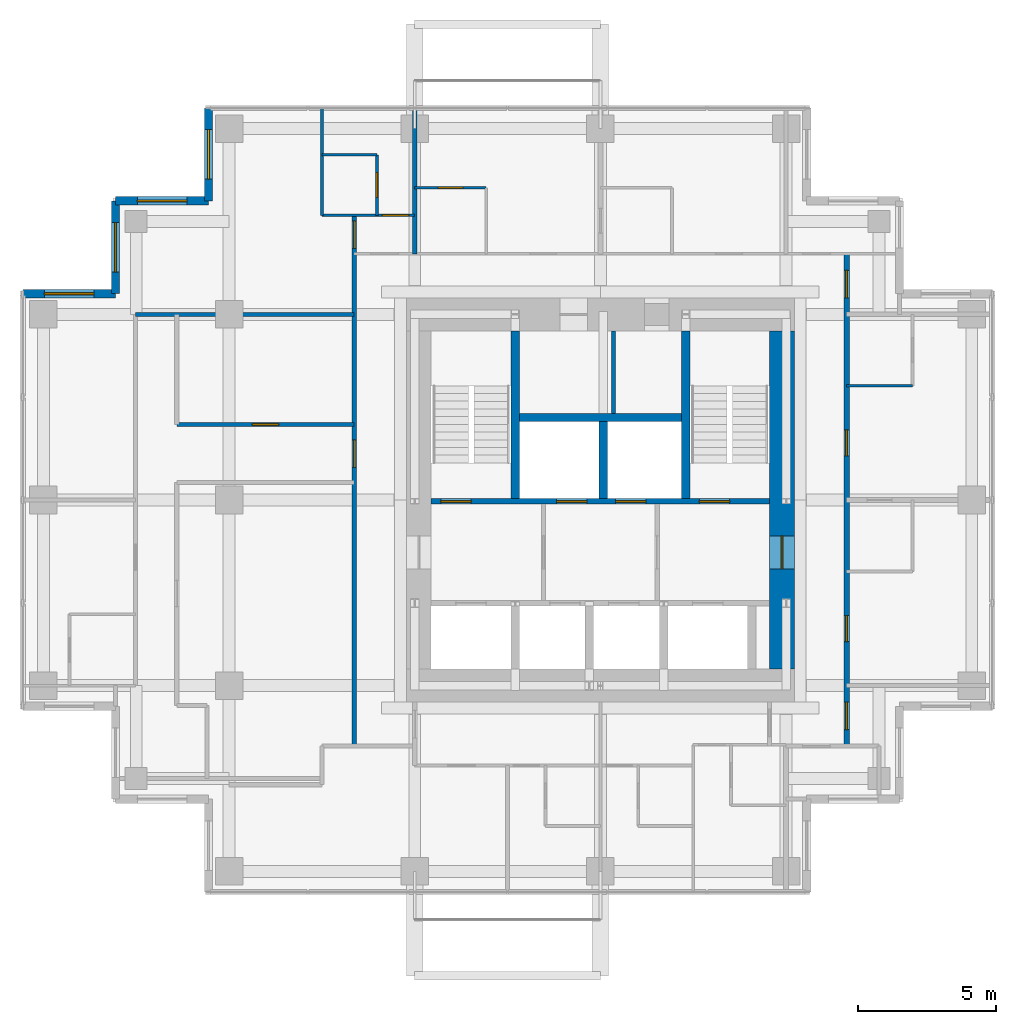
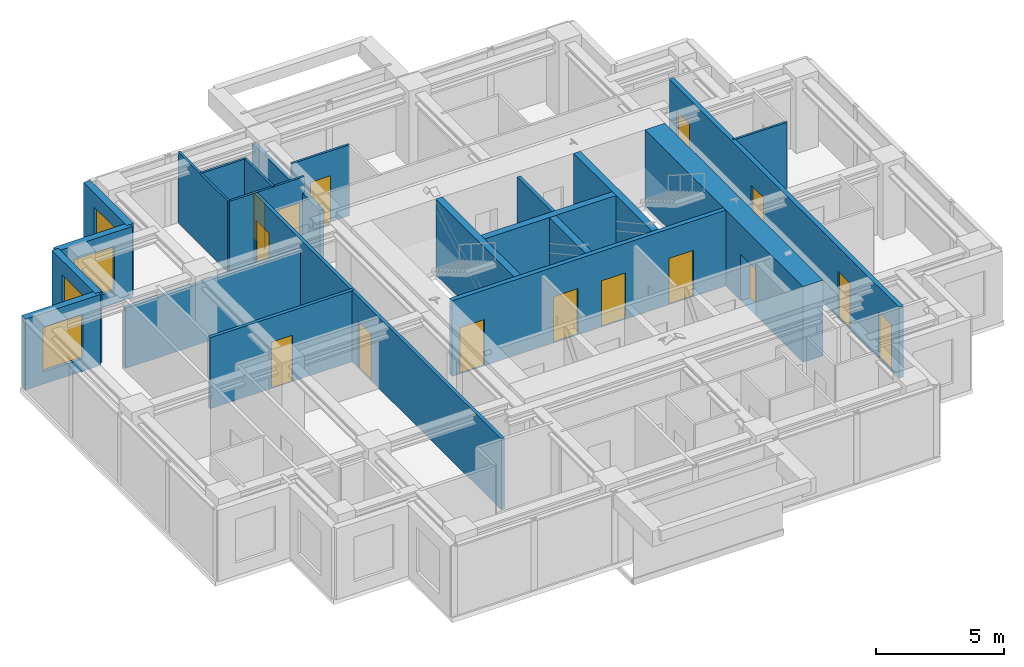
# One storey, part 5 of 7: 22 walls, 15 doors, 4 windows, 19 openings.
"""IFC4 building model written with IfcOpenShell, lengths in metres."""

from ifc_helpers import new_model, si_unit, direction, frame, frame_2d, origin, place, context, subcontext, project, spatial, rectangle, extrude, material, layer, layer_set, type_object, element, fill, save


model = new_model("IFC4")

# Units and contexts
model_context = context("Model", 3, precision=1e-05, world=origin(), true_north=direction((0.0, 1.0)))
body_context = subcontext(model_context, "Body", "Model", "MODEL_VIEW")
ifc_project = project(units=[si_unit("LENGTHUNIT", "METRE"), si_unit("AREAUNIT", "SQUARE_METRE"), si_unit("VOLUMEUNIT", "CUBIC_METRE"), si_unit("PLANEANGLEUNIT", "RADIAN"), si_unit("MASSUNIT", "GRAM", prefix="KILO")], contexts=[model_context])

# Site, building, storey
site_placement = place(None, origin())
site = spatial("IfcSite", under=ifc_project, at=site_placement, CompositionType="ELEMENT")
building_placement = place(site_placement, origin())
building = spatial("IfcBuilding", under=site, at=building_placement, Name="Nyansa Garden Tower", CompositionType="ELEMENT")
storey_placement = place(building_placement, frame((0.0, 0.0, 236.699951171875)))
storey = spatial("IfcBuildingStorey", under=building, at=storey_placement, Name="L64", CompositionType="ELEMENT", Elevation=236.699951171875)

# Wall
ifc_material_1 = material(Name="Dense blockwork, plastered both sides, 55 dB", Category="masonry")
ifc_layer_1 = layer(ifc_material_1, 0.175048828125)
ifc_layer_set_1 = layer_set([ifc_layer_1], Name="Acoustic party wall PW175")
wall_type_1 = type_object("IfcWallType", Name="Acoustic party wall PW175", PredefinedType="PARTITIONING", material=ifc_layer_set_1)
wall_1_placement = place(storey_placement, frame((13.5, 29.199951171875, 0.0), z_axis=(0.0, 0.0, 1.0), x_axis=(0.0, 1.0, 0.0)))
element("IfcWall", 1, at=wall_1_placement, inside=storey, type_object=wall_type_1, Name="Party wall", PredefinedType="PARTITIONING", context=body_context, shape_type="SweptSolid", body=[
    extrude(rectangle(XDim=5.283935546875, YDim=0.175048828125, at=frame_2d((2.64208984375, 0.0))), origin(), (0.0, 0.0, 1.0), 2.610107421875),
])

# Wall, openings, doors
ifc_material_2 = material(Name="Concrete C70/85", Category="concrete")
ifc_layer_2 = layer(ifc_material_2, 0.199951171875)
ifc_layer_set_2 = layer_set([ifc_layer_2], Name="Core inner wall CI200")
wall_type_2 = type_object("IfcWallType", Name="Core inner wall CI200", PredefinedType="SHEAR", material=ifc_layer_set_2)
wall_2_placement = place(storey_placement, frame((14.10009765625, 20.199951171875, 0.0), z_axis=(0.0, 0.0, 1.0), x_axis=(1.0, 0.0, 0.0)))
wall_2 = element("IfcWall", 2, at=wall_2_placement, inside=storey, type_object=wall_type_2, Name="Core inner wall L64", PredefinedType="SHEAR", context=body_context, shape_type="SweptSolid", body=[
    extrude(rectangle(XDim=12.2998046875, YDim=0.199951171875, at=frame_2d((6.14990234375, 0.0))), origin(), (0.0, 0.0, 1.0), 3.60009765625),
])
opening_1_placement = place(wall_2_placement, frame((4.56005859375, 0.0, 0.0)))
opening_1 = element("IfcOpeningElement", 3, at=opening_1_placement, cuts=wall_2, Name="Opening LD-B", PredefinedType="OPENING", context=body_context, shape_type="SweptSolid", body=[
    extrude(rectangle(XDim=1.10009765625, YDim=2.199951171875, at=frame_2d((0.550048828125, 1.10009765625))), frame((0.0, 0.10986328125, 0.0), z_axis=(0.0, -1.0, 0.0), x_axis=(1.0, 0.0, 0.0)), (0.0, 0.0, 1.0), 0.219970703125),
])
opening_2_placement = place(wall_2_placement, frame((6.699951171875, 0.0, 0.0)))
opening_2 = element("IfcOpeningElement", 4, at=opening_2_placement, cuts=wall_2, Name="Opening LD-B", PredefinedType="OPENING", context=body_context, shape_type="SweptSolid", body=[
    extrude(rectangle(XDim=1.10009765625, YDim=2.199951171875, at=frame_2d((0.550048828125, 1.10009765625))), frame((0.0, 0.10986328125, 0.0), z_axis=(0.0, -1.0, 0.0), x_axis=(1.0, 0.0, 0.0)), (0.0, 0.0, 1.0), 0.219970703125),
])
opening_3_placement = place(wall_2_placement, frame((0.35009765625, 0.0, 0.0)))
opening_3 = element("IfcOpeningElement", 5, at=opening_3_placement, cuts=wall_2, Name="Opening D05", PredefinedType="OPENING", context=body_context, shape_type="SweptSolid", body=[
    extrude(rectangle(XDim=1.10009765625, YDim=2.199951171875, at=frame_2d((0.550048828125, 1.10009765625))), frame((0.0, 0.10986328125, 0.0), z_axis=(0.0, -1.0, 0.0), x_axis=(1.0, 0.0, 0.0)), (0.0, 0.0, 1.0), 0.219970703125),
])
opening_4_placement = place(wall_2_placement, frame((9.75, 0.0, 0.0)))
opening_4 = element("IfcOpeningElement", 6, at=opening_4_placement, cuts=wall_2, Name="Opening D05", PredefinedType="OPENING", context=body_context, shape_type="SweptSolid", body=[
    extrude(rectangle(XDim=1.10009765625, YDim=2.199951171875, at=frame_2d((0.550048828125, 1.10009765625))), frame((0.0, 0.10986328125, 0.0), z_axis=(0.0, -1.0, 0.0), x_axis=(1.0, 0.0, 0.0)), (0.0, 0.0, 1.0), 0.219970703125),
])
ifc_material_3 = material(Name="Stainless steel centre-opening landing door of the high-rise lift, E 120", Category="steel")
door_type_1 = type_object("IfcDoorType", Name="Lift landing door LD-B 1100x2200", OperationType="DOUBLE_DOOR_SLIDING", PredefinedType="DOOR", material=ifc_material_3)
door_1_placement = place(opening_1_placement, origin())
door_1 = element("IfcDoor", 7, at=door_1_placement, inside=storey, type_object=door_type_1, Name="Landing door B3", OperationType="DOUBLE_DOOR_SLIDING", OverallHeight=2.199951171875, OverallWidth=1.10009765625, PredefinedType="DOOR", context=body_context, shape_type="SweptSolid", body=[
    extrude(rectangle(XDim=1.10009765625, YDim=2.199951171875, at=frame_2d((0.550048828125, 1.10009765625))), frame((0.0, 0.02490234375, 0.0), z_axis=(0.0, -1.0, 0.0), x_axis=(1.0, 0.0, 0.0)), (0.0, 0.0, 1.0), 0.050048828125),
])
fill(opening_1, door_1)
door_2_placement = place(opening_2_placement, origin())
door_2 = element("IfcDoor", 8, at=door_2_placement, inside=storey, type_object=door_type_1, Name="Landing door B4", OperationType="DOUBLE_DOOR_SLIDING", OverallHeight=2.199951171875, OverallWidth=1.10009765625, PredefinedType="DOOR", context=body_context, shape_type="SweptSolid", body=[
    extrude(rectangle(XDim=1.10009765625, YDim=2.199951171875, at=frame_2d((0.550048828125, 1.10009765625))), frame((0.0, 0.02490234375, 0.0), z_axis=(0.0, -1.0, 0.0), x_axis=(1.0, 0.0, 0.0)), (0.0, 0.0, 1.0), 0.050048828125),
])
fill(opening_2, door_2)
ifc_material_4 = material(Name="Steel door, 120 minute fire resisting", Category="steel")
door_type_2 = type_object("IfcDoorType", Name="Stair door D05 1100x2200", OperationType="SINGLE_SWING_LEFT", PredefinedType="DOOR", material=ifc_material_4)
door_3_placement = place(opening_3_placement, origin())
door_3 = element("IfcDoor", 9, at=door_3_placement, inside=storey, type_object=door_type_2, Name="Stair S1 door", OperationType="SINGLE_SWING_LEFT", OverallHeight=2.199951171875, OverallWidth=1.10009765625, PredefinedType="DOOR", context=body_context, shape_type="SweptSolid", body=[
    extrude(rectangle(XDim=1.10009765625, YDim=2.199951171875, at=frame_2d((0.550048828125, 1.10009765625))), frame((0.0, 0.02490234375, 0.0), z_axis=(0.0, -1.0, 0.0), x_axis=(1.0, 0.0, 0.0)), (0.0, 0.0, 1.0), 0.050048828125),
])
fill(opening_3, door_3)
door_4_placement = place(opening_4_placement, origin())
door_4 = element("IfcDoor", 10, at=door_4_placement, inside=storey, type_object=door_type_2, Name="Stair S2 door", OperationType="SINGLE_SWING_LEFT", OverallHeight=2.199951171875, OverallWidth=1.10009765625, PredefinedType="DOOR", context=body_context, shape_type="SweptSolid", body=[
    extrude(rectangle(XDim=1.10009765625, YDim=2.199951171875, at=frame_2d((0.550048828125, 1.10009765625))), frame((0.0, 0.02490234375, 0.0), z_axis=(0.0, -1.0, 0.0), x_axis=(1.0, 0.0, 0.0)), (0.0, 0.0, 1.0), 0.050048828125),
])
fill(opening_4, door_4)

# Walls
ifc_material_5 = material(Name="Concrete C70/85", Category="concrete")
ifc_layer_3 = layer(ifc_material_5, 0.300048828125)
ifc_layer_set_3 = layer_set([ifc_layer_3], Name="Core inner wall CI300")
wall_type_3 = type_object("IfcWallType", Name="Core inner wall CI300", PredefinedType="SHEAR", material=ifc_layer_set_3)
for number, where, z_axis, x_axis, name in (
    (11, (17.14990234375, 20.300048828125, 0.0), (0.0, 0.0, 1.0), (0.0, 1.0, 0.0), "Core inner wall L64"),
    (12, (23.35009765625, 20.300048828125, 0.0), (0.0, 0.0, 1.0), (0.0, 1.0, 0.0), "Core inner wall L64"),
):
    element("IfcWall", number, at=place(storey_placement, frame(where, z_axis=z_axis, x_axis=x_axis)), inside=storey, type_object=wall_type_3, Name=name, PredefinedType="SHEAR", context=body_context, shape_type="SweptSolid", body=[
        extrude(rectangle(XDim=6.099853515625, YDim=0.300048828125, at=frame_2d((3.0498046875, 0.0))), origin(), (0.0, 0.0, 1.0), 3.60009765625),
    ])
wall_3_placement = place(storey_placement, frame((20.35009765625, 20.300048828125, 0.0), z_axis=(0.0, 0.0, 1.0), x_axis=(0.0, 1.0, 0.0)))
element("IfcWall", 13, at=wall_3_placement, inside=storey, type_object=wall_type_3, Name="Core inner wall L64", PredefinedType="SHEAR", context=body_context, shape_type="SweptSolid", body=[
    extrude(rectangle(XDim=2.800048828125, YDim=0.300048828125, at=frame_2d((1.39990234375, 0.0))), origin(), (0.0, 0.0, 1.0), 3.60009765625),
])
wall_4_placement = place(storey_placement, frame((17.300048828125, 23.25, 0.0), z_axis=(0.0, 0.0, 1.0), x_axis=(1.0, 0.0, 0.0)))
element("IfcWall", 14, at=wall_4_placement, inside=storey, type_object=wall_type_3, Name="Core inner wall L64", PredefinedType="SHEAR", context=body_context, shape_type="SweptSolid", body=[
    extrude(rectangle(XDim=5.89990234375, YDim=0.300048828125, at=frame_2d((2.949951171875, 0.0))), origin(), (0.0, 0.0, 1.0), 3.60009765625),
])

# Wall, opening, door
ifc_material_6 = material(Name="Concrete C80/95", Category="concrete")
ifc_layer_4 = layer(ifc_material_6, 0.89990234375)
ifc_layer_set_4 = layer_set([ifc_layer_4], Name="Core wall CW900")
wall_type_4 = type_object("IfcWallType", Name="Core wall CW900", PredefinedType="SHEAR", material=ifc_layer_set_4)
wall_5_placement = place(storey_placement, frame((26.85009765625, 14.10009765625, 0.0), z_axis=(0.0, 0.0, 1.0), x_axis=(0.0, 1.0, 0.0)))
wall_5 = element("IfcWall", 15, at=wall_5_placement, inside=storey, type_object=wall_type_4, Name="Core wall E L64", PredefinedType="SHEAR", context=body_context, shape_type="SweptSolid", body=[
    extrude(rectangle(XDim=12.2998046875, YDim=0.89990234375, at=frame_2d((6.14990234375, 0.0))), origin(), (0.0, 0.0, 1.0), 3.60009765625),
])
opening_5_placement = place(wall_5_placement, frame((3.64990234375, 0.0, 0.0)))
opening_5 = element("IfcOpeningElement", 16, at=opening_5_placement, cuts=wall_5, Name="Opening D06", PredefinedType="OPENING", context=body_context, shape_type="SweptSolid", body=[
    extrude(rectangle(XDim=1.199951171875, YDim=2.199951171875, at=frame_2d((0.60009765625, 1.10009765625))), frame((0.0, 0.4599609375, 0.0), z_axis=(0.0, -1.0, 0.0), x_axis=(1.0, 0.0, 0.0)), (0.0, 0.0, 1.0), 0.919921875),
])
ifc_material_7 = material(Name="Steel door, 120 minute fire resisting", Category="steel")
door_type_3 = type_object("IfcDoorType", Name="Lobby door D06 1200x2200", OperationType="DOUBLE_DOOR_SINGLE_SWING", PredefinedType="DOOR", material=ifc_material_7)
door_5_placement = place(opening_5_placement, origin())
door_5 = element("IfcDoor", 17, at=door_5_placement, inside=storey, type_object=door_type_3, Name="Lift lobby door east", OperationType="DOUBLE_DOOR_SINGLE_SWING", OverallHeight=2.199951171875, OverallWidth=1.199951171875, PredefinedType="DOOR", context=body_context, shape_type="SweptSolid", body=[
    extrude(rectangle(XDim=1.199951171875, YDim=2.199951171875, at=frame_2d((0.60009765625, 1.10009765625))), frame((0.0, 0.02490234375, 0.0), z_axis=(0.0, -1.0, 0.0), x_axis=(1.0, 0.0, 0.0)), (0.0, 0.0, 1.0), 0.050048828125),
])
fill(opening_5, door_5)

# Wall, openings, doors
ifc_material_8 = material(Name="Concrete blockwork, plastered, 60 minute fire resisting", Category="masonry")
ifc_layer_5 = layer(ifc_material_8, 0.199951171875)
ifc_layer_set_5 = layer_set([ifc_layer_5], Name="Corridor wall FW200")
wall_type_5 = type_object("IfcWallType", Name="Corridor wall FW200", PredefinedType="PARTITIONING", material=ifc_layer_set_5)
wall_6_placement = place(storey_placement, frame((29.199951171875, 11.300048828125, 0.0), z_axis=(0.0, 0.0, 1.0), x_axis=(0.0, 1.0, 0.0)))
wall_6 = element("IfcWall", 18, at=wall_6_placement, inside=storey, type_object=wall_type_5, Name="Corridor wall", PredefinedType="PARTITIONING", context=body_context, shape_type="SweptSolid", body=[
    extrude(rectangle(XDim=17.89990234375, YDim=0.199951171875, at=frame_2d((8.949951171875, 0.0))), origin(), (0.0, 0.0, 1.0), 3.375),
])
opening_6_placement = place(wall_6_placement, frame((0.60009765625, 0.0, 0.0)))
opening_6 = element("IfcOpeningElement", 19, at=opening_6_placement, cuts=wall_6, Name="Opening D03", PredefinedType="OPENING", context=body_context, shape_type="SweptSolid", body=[
    extrude(rectangle(XDim=1.0, YDim=2.199951171875, at=frame_2d((0.5, 1.10009765625))), frame((0.0, 0.10986328125, 0.0), z_axis=(0.0, -1.0, 0.0), x_axis=(1.0, 0.0, 0.0)), (0.0, 0.0, 1.0), 0.219970703125),
])
opening_7_placement = place(wall_6_placement, frame((10.550048828125, 0.0, 0.0)))
opening_7 = element("IfcOpeningElement", 20, at=opening_7_placement, cuts=wall_6, Name="Opening D14", PredefinedType="OPENING", context=body_context, shape_type="SweptSolid", body=[
    extrude(rectangle(XDim=0.949951171875, YDim=2.199951171875, at=frame_2d((0.47509765625, 1.10009765625))), frame((0.0, 0.10986328125, 0.0), z_axis=(0.0, -1.0, 0.0), x_axis=(1.0, 0.0, 0.0)), (0.0, 0.0, 1.0), 0.219970703125),
])
opening_8_placement = place(wall_6_placement, frame((3.800048828125, 0.0, 0.0)))
opening_8 = element("IfcOpeningElement", 21, at=opening_8_placement, cuts=wall_6, Name="Opening D14", PredefinedType="OPENING", context=body_context, shape_type="SweptSolid", body=[
    extrude(rectangle(XDim=0.949951171875, YDim=2.199951171875, at=frame_2d((0.47509765625, 1.10009765625))), frame((0.0, 0.10986328125, 0.0), z_axis=(0.0, -1.0, 0.0), x_axis=(1.0, 0.0, 0.0)), (0.0, 0.0, 1.0), 0.219970703125),
])
opening_9_placement = place(wall_6_placement, frame((16.300048828125, 0.0, 0.0)))
opening_9 = element("IfcOpeningElement", 22, at=opening_9_placement, cuts=wall_6, Name="Opening D03", PredefinedType="OPENING", context=body_context, shape_type="SweptSolid", body=[
    extrude(rectangle(XDim=1.0, YDim=2.199951171875, at=frame_2d((0.5, 1.10009765625))), frame((0.0, 0.10986328125, 0.0), z_axis=(0.0, -1.0, 0.0), x_axis=(1.0, 0.0, 0.0)), (0.0, 0.0, 1.0), 0.219970703125),
])
ifc_material_9 = material(Name="Timber flush door, 60 minute fire resisting", Category="wood")
door_type_4 = type_object("IfcDoorType", Name="Cluster entrance door D03 1000x2200", OperationType="SINGLE_SWING_LEFT", PredefinedType="DOOR", material=ifc_material_9)
door_6_placement = place(opening_6_placement, origin())
door_6 = element("IfcDoor", 23, at=door_6_placement, inside=storey, type_object=door_type_4, Name="Door L64-026", OperationType="SINGLE_SWING_LEFT", OverallHeight=2.199951171875, OverallWidth=1.0, PredefinedType="DOOR", context=body_context, shape_type="SweptSolid", body=[
    extrude(rectangle(XDim=1.0, YDim=2.199951171875, at=frame_2d((0.5, 1.10009765625))), frame((0.0, 0.02490234375, 0.0), z_axis=(0.0, -1.0, 0.0), x_axis=(1.0, 0.0, 0.0)), (0.0, 0.0, 1.0), 0.050048828125),
])
fill(opening_6, door_6)
door_7_placement = place(opening_9_placement, origin())
door_7 = element("IfcDoor", 24, at=door_7_placement, inside=storey, type_object=door_type_4, Name="Door L64-031", OperationType="SINGLE_SWING_LEFT", OverallHeight=2.199951171875, OverallWidth=1.0, PredefinedType="DOOR", context=body_context, shape_type="SweptSolid", body=[
    extrude(rectangle(XDim=1.0, YDim=2.199951171875, at=frame_2d((0.5, 1.10009765625))), frame((0.0, 0.02490234375, 0.0), z_axis=(0.0, -1.0, 0.0), x_axis=(1.0, 0.0, 0.0)), (0.0, 0.0, 1.0), 0.050048828125),
])
fill(opening_9, door_7)
ifc_material_10 = material(Name="Timber flush door, 60 minute fire resisting, self-closing", Category="wood")
door_type_5 = type_object("IfcDoorType", Name="Studio entrance door D14 950x2200", OperationType="SINGLE_SWING_LEFT", PredefinedType="DOOR", material=ifc_material_10)
door_8_placement = place(opening_7_placement, origin())
door_8 = element("IfcDoor", 25, at=door_8_placement, inside=storey, type_object=door_type_5, Name="Door L64-027", OperationType="SINGLE_SWING_LEFT", OverallHeight=2.199951171875, OverallWidth=0.949951171875, PredefinedType="DOOR", context=body_context, shape_type="SweptSolid", body=[
    extrude(rectangle(XDim=0.949951171875, YDim=2.199951171875, at=frame_2d((0.47509765625, 1.10009765625))), frame((0.0, 0.02490234375, 0.0), z_axis=(0.0, -1.0, 0.0), x_axis=(1.0, 0.0, 0.0)), (0.0, 0.0, 1.0), 0.050048828125),
])
fill(opening_7, door_8)
door_9_placement = place(opening_8_placement, origin())
door_9 = element("IfcDoor", 26, at=door_9_placement, inside=storey, type_object=door_type_5, Name="Door L64-029", OperationType="SINGLE_SWING_LEFT", OverallHeight=2.199951171875, OverallWidth=0.949951171875, PredefinedType="DOOR", context=body_context, shape_type="SweptSolid", body=[
    extrude(rectangle(XDim=0.949951171875, YDim=2.199951171875, at=frame_2d((0.47509765625, 1.10009765625))), frame((0.0, 0.02490234375, 0.0), z_axis=(0.0, -1.0, 0.0), x_axis=(1.0, 0.0, 0.0)), (0.0, 0.0, 1.0), 0.050048828125),
])
fill(opening_8, door_9)

# Walls
ifc_material_11 = material(Name="Blockwork, plastered both sides", Category="masonry")
ifc_layer_6 = layer(ifc_material_11, 0.14990234375)
ifc_layer_set_6 = layer_set([ifc_layer_6], Name="Partition PW150")
wall_type_6 = type_object("IfcWallType", Name="Partition PW150", PredefinedType="PARTITIONING", material=ifc_layer_set_6)
wall_7_placement = place(storey_placement, frame((20.72509765625, 23.39990234375, 0.0), z_axis=(0.0, 0.0, 1.0), x_axis=(0.0, 1.0, 0.0)))
element("IfcWall", 27, at=wall_7_placement, inside=storey, type_object=wall_type_6, Name="Partition", PredefinedType="PARTITIONING", context=body_context, shape_type="SweptSolid", body=[
    extrude(rectangle(XDim=3.0, YDim=0.14990234375, at=frame_2d((1.5, 0.0))), origin(), (0.0, 0.0, 1.0), 3.375),
])
wall_8_placement = place(storey_placement, frame((3.35009765625, 27.0, 0.0), z_axis=(0.0, 0.0, 1.0), x_axis=(1.0, 0.0, 0.0)))
element("IfcWall", 28, at=wall_8_placement, inside=storey, type_object=wall_type_6, Name="Partition", PredefinedType="PARTITIONING", context=body_context, shape_type="SweptSolid", body=[
    extrude(rectangle(XDim=7.949951171875, YDim=0.14990234375, at=frame_2d((3.97509765625, 0.0))), origin(), (0.0, 0.0, 1.0), 2.876953125),
])

# Wall, opening, door
wall_9_placement = place(storey_placement, frame((4.85009765625, 22.988037109375, 0.0), z_axis=(0.0, 0.0, 1.0), x_axis=(1.0, 0.0, 0.0)))
wall_9 = element("IfcWall", 29, at=wall_9_placement, inside=storey, type_object=wall_type_6, Name="Partition", PredefinedType="PARTITIONING", context=body_context, shape_type="SweptSolid", body=[
    extrude(rectangle(XDim=6.449951171875, YDim=0.14990234375, at=frame_2d((3.22509765625, 0.0))), origin(), (0.0, 0.0, 1.0), 3.375),
])
opening_10_placement = place(wall_9_placement, frame((2.75, 0.0, 0.0)))
opening_10 = element("IfcOpeningElement", 30, at=opening_10_placement, cuts=wall_9, Name="Opening D01", PredefinedType="OPENING", context=body_context, shape_type="SweptSolid", body=[
    extrude(rectangle(XDim=0.949951171875, YDim=2.199951171875, at=frame_2d((0.47509765625, 1.10009765625))), frame((0.0, 0.0849609375, 0.0), z_axis=(0.0, -1.0, 0.0), x_axis=(1.0, 0.0, 0.0)), (0.0, 0.0, 1.0), 0.169921875),
])
ifc_material_12 = material(Name="Timber flush door, 30 minute fire resisting", Category="wood")
door_type_6 = type_object("IfcDoorType", Name="Bedroom door D01 950x2200", OperationType="SINGLE_SWING_LEFT", PredefinedType="DOOR", material=ifc_material_12)
door_10_placement = place(opening_10_placement, origin())
door_10 = element("IfcDoor", 31, at=door_10_placement, inside=storey, type_object=door_type_6, Name="Door L64-044", OperationType="SINGLE_SWING_LEFT", OverallHeight=2.199951171875, OverallWidth=0.949951171875, PredefinedType="DOOR", context=body_context, shape_type="SweptSolid", body=[
    extrude(rectangle(XDim=0.949951171875, YDim=2.199951171875, at=frame_2d((0.47509765625, 1.10009765625))), frame((0.0, 0.02490234375, 0.0), z_axis=(0.0, -1.0, 0.0), x_axis=(1.0, 0.0, 0.0)), (0.0, 0.0, 1.0), 0.050048828125),
])
fill(opening_10, door_10)

# Wall, openings, doors
wall_10_placement = place(storey_placement, frame((11.300048828125, 11.300048828125, 0.0), z_axis=(0.0, 0.0, 1.0), x_axis=(0.0, 1.0, 0.0)))
wall_10 = element("IfcWall", 32, at=wall_10_placement, inside=storey, type_object=wall_type_6, Name="Partition", PredefinedType="PARTITIONING", context=body_context, shape_type="SweptSolid", body=[
    extrude(rectangle(XDim=19.300048828125, YDim=0.14990234375, at=frame_2d((9.64990234375, 0.0))), origin(), (0.0, 0.0, 1.0), 3.375),
])
opening_11_placement = place(wall_10_placement, frame((18.10009765625, 0.0, 0.0)))
opening_11 = element("IfcOpeningElement", 33, at=opening_11_placement, cuts=wall_10, Name="Opening D03", PredefinedType="OPENING", context=body_context, shape_type="SweptSolid", body=[
    extrude(rectangle(XDim=1.0, YDim=2.199951171875, at=frame_2d((0.5, 1.10009765625))), frame((0.0, 0.0849609375, 0.0), z_axis=(0.0, -1.0, 0.0), x_axis=(1.0, 0.0, 0.0)), (0.0, 0.0, 1.0), 0.169921875),
])
opening_12_placement = place(wall_10_placement, frame((10.137451171875, 0.0, 0.0)))
opening_12 = element("IfcOpeningElement", 34, at=opening_12_placement, cuts=wall_10, Name="Opening D03", PredefinedType="OPENING", context=body_context, shape_type="SweptSolid", body=[
    extrude(rectangle(XDim=1.0, YDim=2.199951171875, at=frame_2d((0.5, 1.10009765625))), frame((0.0, 0.0849609375, 0.0), z_axis=(0.0, -1.0, 0.0), x_axis=(1.0, 0.0, 0.0)), (0.0, 0.0, 1.0), 0.169921875),
])
door_11_placement = place(opening_11_placement, origin())
door_11 = element("IfcDoor", 35, at=door_11_placement, inside=storey, type_object=door_type_4, Name="Door L64-040", OperationType="SINGLE_SWING_LEFT", OverallHeight=2.199951171875, OverallWidth=1.0, PredefinedType="DOOR", context=body_context, shape_type="SweptSolid", body=[
    extrude(rectangle(XDim=1.0, YDim=2.199951171875, at=frame_2d((0.5, 1.10009765625))), frame((0.0, 0.02490234375, 0.0), z_axis=(0.0, -1.0, 0.0), x_axis=(1.0, 0.0, 0.0)), (0.0, 0.0, 1.0), 0.050048828125),
])
fill(opening_11, door_11)
door_12_placement = place(opening_12_placement, origin())
door_12 = element("IfcDoor", 36, at=door_12_placement, inside=storey, type_object=door_type_4, Name="Door L64-043", OperationType="SINGLE_SWING_LEFT", OverallHeight=2.199951171875, OverallWidth=1.0, PredefinedType="DOOR", context=body_context, shape_type="SweptSolid", body=[
    extrude(rectangle(XDim=1.0, YDim=2.199951171875, at=frame_2d((0.5, 1.10009765625))), frame((0.0, 0.02490234375, 0.0), z_axis=(0.0, -1.0, 0.0), x_axis=(1.0, 0.0, 0.0)), (0.0, 0.0, 1.0), 0.050048828125),
])
fill(opening_12, door_12)

# Wall, opening, window
ifc_material_13 = material(Name="Turquoise glazed tile on concrete blockwork", Category="masonry")
ifc_layer_7 = layer(ifc_material_13, 0.300048828125)
ifc_layer_set_7 = layer_set([ifc_layer_7], Name="Tiled corner wall TW300")
wall_type_7 = type_object("IfcWallType", Name="Tiled corner wall TW300", PredefinedType="SOLIDWALL", material=ifc_layer_set_7)
wall_11_placement = place(storey_placement, frame((6.0, 34.5, 0.0), z_axis=(0.0, 0.0, 1.0), x_axis=(0.0, -1.0, 0.0)))
wall_11 = element("IfcWall", 37, at=wall_11_placement, inside=storey, type_object=wall_type_7, Name="Tiled corner wall L64", PredefinedType="SOLIDWALL", context=body_context, shape_type="SweptSolid", body=[
    extrude(rectangle(XDim=3.375, YDim=0.300048828125, at=frame_2d((1.6875, 0.0))), origin(), (0.0, 0.0, 1.0), 3.375),
])
opening_13_placement = place(wall_11_placement, frame((0.78759765625, 0.0, 0.60009765625)))
opening_13 = element("IfcOpeningElement", 38, at=opening_13_placement, cuts=wall_11, Name="Opening W2", PredefinedType="OPENING", context=body_context, shape_type="SweptSolid", body=[
    extrude(rectangle(XDim=1.800048828125, YDim=2.10009765625, at=frame_2d((0.89990234375, 1.050048828125))), frame((0.0, 0.159912109375, 0.0), z_axis=(0.0, -1.0, 0.0), x_axis=(1.0, 0.0, 0.0)), (0.0, 0.0, 1.0), 0.320068359375),
])
ifc_material_14 = material(Name="Black aluminium frame, dark tinted double glazing", Category="aluminium")
window_type = type_object("IfcWindowType", Name="Window W2 1800x2100", PartitioningType="SINGLE_PANEL", PredefinedType="WINDOW", material=ifc_material_14)
window_1_placement = place(opening_13_placement, origin())
window_1 = element("IfcWindow", 39, at=window_1_placement, inside=storey, type_object=window_type, Name="Corner window L64", OverallHeight=2.10009765625, OverallWidth=1.800048828125, PartitioningType="SINGLE_PANEL", PredefinedType="WINDOW", context=body_context, shape_type="SweptSolid", body=[
    extrude(rectangle(XDim=1.800048828125, YDim=2.10009765625, at=frame_2d((0.89990234375, 1.050048828125))), frame((0.0, 0.030029296875, 0.0), z_axis=(0.0, -1.0, 0.0), x_axis=(1.0, 0.0, 0.0)), (0.0, 0.0, 1.0), 0.06005859375),
])
fill(opening_13, window_1)

wall_12_placement = place(storey_placement, frame((6.0, 31.125, 0.0), z_axis=(0.0, 0.0, 1.0), x_axis=(-1.0, 0.0, 0.0)))
wall_12 = element("IfcWall", 40, at=wall_12_placement, inside=storey, type_object=wall_type_7, Name="Tiled corner wall L64", PredefinedType="SOLIDWALL", context=body_context, shape_type="SweptSolid", body=[
    extrude(rectangle(XDim=3.375, YDim=0.300048828125, at=frame_2d((1.6875, 0.0))), origin(), (0.0, 0.0, 1.0), 3.375),
])
opening_14_placement = place(wall_12_placement, frame((0.78759765625, 0.0, 0.60009765625)))
opening_14 = element("IfcOpeningElement", 41, at=opening_14_placement, cuts=wall_12, Name="Opening W2", PredefinedType="OPENING", context=body_context, shape_type="SweptSolid", body=[
    extrude(rectangle(XDim=1.800048828125, YDim=2.10009765625, at=frame_2d((0.89990234375, 1.050048828125))), frame((0.0, 0.159912109375, 0.0), z_axis=(0.0, -1.0, 0.0), x_axis=(1.0, 0.0, 0.0)), (0.0, 0.0, 1.0), 0.320068359375),
])
window_2_placement = place(opening_14_placement, origin())
window_2 = element("IfcWindow", 42, at=window_2_placement, inside=storey, type_object=window_type, Name="Corner window L64", OverallHeight=2.10009765625, OverallWidth=1.800048828125, PartitioningType="SINGLE_PANEL", PredefinedType="WINDOW", context=body_context, shape_type="SweptSolid", body=[
    extrude(rectangle(XDim=1.800048828125, YDim=2.10009765625, at=frame_2d((0.89990234375, 1.050048828125))), frame((0.0, 0.030029296875, 0.0), z_axis=(0.0, -1.0, 0.0), x_axis=(1.0, 0.0, 0.0)), (0.0, 0.0, 1.0), 0.06005859375),
])
fill(opening_14, window_2)

wall_13_placement = place(storey_placement, frame((2.625, 31.125, 0.0), z_axis=(0.0, 0.0, 1.0), x_axis=(0.0, -1.0, 0.0)))
wall_13 = element("IfcWall", 43, at=wall_13_placement, inside=storey, type_object=wall_type_7, Name="Tiled corner wall L64", PredefinedType="SOLIDWALL", context=body_context, shape_type="SweptSolid", body=[
    extrude(rectangle(XDim=3.375, YDim=0.300048828125, at=frame_2d((1.6875, 0.0))), origin(), (0.0, 0.0, 1.0), 3.375),
])
opening_15_placement = place(wall_13_placement, frame((0.78759765625, 0.0, 0.60009765625)))
opening_15 = element("IfcOpeningElement", 44, at=opening_15_placement, cuts=wall_13, Name="Opening W2", PredefinedType="OPENING", context=body_context, shape_type="SweptSolid", body=[
    extrude(rectangle(XDim=1.800048828125, YDim=2.10009765625, at=frame_2d((0.89990234375, 1.050048828125))), frame((0.0, 0.159912109375, 0.0), z_axis=(0.0, -1.0, 0.0), x_axis=(1.0, 0.0, 0.0)), (0.0, 0.0, 1.0), 0.320068359375),
])
window_3_placement = place(opening_15_placement, origin())
window_3 = element("IfcWindow", 45, at=window_3_placement, inside=storey, type_object=window_type, Name="Corner window L64", OverallHeight=2.10009765625, OverallWidth=1.800048828125, PartitioningType="SINGLE_PANEL", PredefinedType="WINDOW", context=body_context, shape_type="SweptSolid", body=[
    extrude(rectangle(XDim=1.800048828125, YDim=2.10009765625, at=frame_2d((0.89990234375, 1.050048828125))), frame((0.0, 0.030029296875, 0.0), z_axis=(0.0, -1.0, 0.0), x_axis=(1.0, 0.0, 0.0)), (0.0, 0.0, 1.0), 0.06005859375),
])
fill(opening_15, window_3)

wall_14_placement = place(storey_placement, frame((2.625, 27.75, 0.0), z_axis=(0.0, 0.0, 1.0), x_axis=(-1.0, 0.0, 0.0)))
wall_14 = element("IfcWall", 46, at=wall_14_placement, inside=storey, type_object=wall_type_7, Name="Tiled corner wall L64", PredefinedType="SOLIDWALL", context=body_context, shape_type="SweptSolid", body=[
    extrude(rectangle(XDim=3.375, YDim=0.300048828125, at=frame_2d((1.6875, 0.0))), origin(), (0.0, 0.0, 1.0), 3.375),
])
opening_16_placement = place(wall_14_placement, frame((0.78759765625, 0.0, 0.60009765625)))
opening_16 = element("IfcOpeningElement", 47, at=opening_16_placement, cuts=wall_14, Name="Opening W2", PredefinedType="OPENING", context=body_context, shape_type="SweptSolid", body=[
    extrude(rectangle(XDim=1.800048828125, YDim=2.10009765625, at=frame_2d((0.89990234375, 1.050048828125))), frame((0.0, 0.159912109375, 0.0), z_axis=(0.0, -1.0, 0.0), x_axis=(1.0, 0.0, 0.0)), (0.0, 0.0, 1.0), 0.320068359375),
])
window_4_placement = place(opening_16_placement, origin())
window_4 = element("IfcWindow", 48, at=window_4_placement, inside=storey, type_object=window_type, Name="Corner window L64", OverallHeight=2.10009765625, OverallWidth=1.800048828125, PartitioningType="SINGLE_PANEL", PredefinedType="WINDOW", context=body_context, shape_type="SweptSolid", body=[
    extrude(rectangle(XDim=1.800048828125, YDim=2.10009765625, at=frame_2d((0.89990234375, 1.050048828125))), frame((0.0, 0.030029296875, 0.0), z_axis=(0.0, -1.0, 0.0), x_axis=(1.0, 0.0, 0.0)), (0.0, 0.0, 1.0), 0.06005859375),
])
fill(opening_16, window_4)

# Wall
ifc_material_15 = material(Name="Moisture resistant board on steel studs, tiled", Category="steel")
ifc_layer_8 = layer(ifc_material_15, 0.10009765625)
ifc_layer_set_8 = layer_set([ifc_layer_8], Name="Wet wall PW100")
wall_type_8 = type_object("IfcWallType", Name="Wet wall PW100", PredefinedType="PARTITIONING", material=ifc_layer_set_8)
wall_15_placement = place(storey_placement, frame((10.125, 30.60009765625, 0.0), z_axis=(0.0, 0.0, 1.0), x_axis=(0.0, 1.0, 0.0)))
element("IfcWall", 49, at=wall_15_placement, inside=storey, type_object=wall_type_8, Name="Wet wall", PredefinedType="PARTITIONING", context=body_context, shape_type="SweptSolid", body=[
    extrude(rectangle(XDim=3.8837890625, YDim=0.10009765625, at=frame_2d((1.94189453125, 0.0))), origin(), (0.0, 0.0, 1.0), 3.375),
])

# Wall, opening, door
wall_16_placement = place(storey_placement, frame((10.125, 30.60009765625, 0.0), z_axis=(0.0, 0.0, 1.0), x_axis=(1.0, 0.0, 0.0)))
wall_16 = element("IfcWall", 50, at=wall_16_placement, inside=storey, type_object=wall_type_8, Name="Wet wall", PredefinedType="PARTITIONING", context=body_context, shape_type="SweptSolid", body=[
    extrude(rectangle(XDim=3.375, YDim=0.10009765625, at=frame_2d((1.6875, 0.0))), origin(), (0.0, 0.0, 1.0), 3.375),
])
opening_17_placement = place(wall_16_placement, frame((2.199951171875, 0.0, 0.0)))
opening_17 = element("IfcOpeningElement", 51, at=opening_17_placement, cuts=wall_16, Name="Opening D14", PredefinedType="OPENING", context=body_context, shape_type="SweptSolid", body=[
    extrude(rectangle(XDim=0.949951171875, YDim=2.199951171875, at=frame_2d((0.47509765625, 1.10009765625))), frame((0.0, 0.06005859375, 0.0), z_axis=(0.0, -1.0, 0.0), x_axis=(1.0, 0.0, 0.0)), (0.0, 0.0, 1.0), 0.1201171875),
])
door_13_placement = place(opening_17_placement, origin())
door_13 = element("IfcDoor", 52, at=door_13_placement, inside=storey, type_object=door_type_5, Name="Door L64-037", OperationType="SINGLE_SWING_LEFT", OverallHeight=2.199951171875, OverallWidth=0.949951171875, PredefinedType="DOOR", context=body_context, shape_type="SweptSolid", body=[
    extrude(rectangle(XDim=0.949951171875, YDim=2.199951171875, at=frame_2d((0.47509765625, 1.10009765625))), frame((0.0, 0.02490234375, 0.0), z_axis=(0.0, -1.0, 0.0), x_axis=(1.0, 0.0, 0.0)), (0.0, 0.0, 1.0), 0.050048828125),
])
fill(opening_17, door_13)

# Wall
wall_17_placement = place(storey_placement, frame((10.125, 32.800048828125, 0.0), z_axis=(0.0, 0.0, 1.0), x_axis=(1.0, 0.0, 0.0)))
element("IfcWall", 53, at=wall_17_placement, inside=storey, type_object=wall_type_8, Name="Wet wall", PredefinedType="PARTITIONING", context=body_context, shape_type="SweptSolid", body=[
    extrude(rectangle(XDim=2.0, YDim=0.10009765625, at=frame_2d((1.0, 0.0))), origin(), (0.0, 0.0, 1.0), 3.375),
])

# Wall, opening, door
wall_18_placement = place(storey_placement, frame((12.125, 30.60009765625, 0.0), z_axis=(0.0, 0.0, 1.0), x_axis=(0.0, 1.0, 0.0)))
wall_18 = element("IfcWall", 54, at=wall_18_placement, inside=storey, type_object=wall_type_8, Name="Wet wall", PredefinedType="PARTITIONING", context=body_context, shape_type="SweptSolid", body=[
    extrude(rectangle(XDim=2.199951171875, YDim=0.10009765625, at=frame_2d((1.10009765625, 0.0))), origin(), (0.0, 0.0, 1.0), 3.375),
])
opening_18_placement = place(wall_18_placement, frame((0.64990234375, 0.0, 0.0)))
opening_18 = element("IfcOpeningElement", 55, at=opening_18_placement, cuts=wall_18, Name="Opening D02", PredefinedType="OPENING", context=body_context, shape_type="SweptSolid", body=[
    extrude(rectangle(XDim=0.89990234375, YDim=2.199951171875, at=frame_2d((0.449951171875, 1.10009765625))), frame((0.0, 0.06005859375, 0.0), z_axis=(0.0, -1.0, 0.0), x_axis=(1.0, 0.0, 0.0)), (0.0, 0.0, 1.0), 0.1201171875),
])
ifc_material_16 = material(Name="Timber flush door", Category="wood")
door_type_7 = type_object("IfcDoorType", Name="En-suite door D02 900x2200", OperationType="SINGLE_SWING_RIGHT", PredefinedType="DOOR", material=ifc_material_16)
door_14_placement = place(opening_18_placement, origin())
door_14 = element("IfcDoor", 56, at=door_14_placement, inside=storey, type_object=door_type_7, Name="Door L64-038", OperationType="SINGLE_SWING_RIGHT", OverallHeight=2.199951171875, OverallWidth=0.89990234375, PredefinedType="DOOR", context=body_context, shape_type="SweptSolid", body=[
    extrude(rectangle(XDim=0.89990234375, YDim=2.199951171875, at=frame_2d((0.449951171875, 1.10009765625))), frame((0.0, 0.02490234375, 0.0), z_axis=(0.0, -1.0, 0.0), x_axis=(1.0, 0.0, 0.0)), (0.0, 0.0, 1.0), 0.050048828125),
])
fill(opening_18, door_14)

wall_19_placement = place(storey_placement, frame((13.5, 31.60009765625, 0.0), z_axis=(0.0, 0.0, 1.0), x_axis=(1.0, 0.0, 0.0)))
wall_19 = element("IfcWall", 57, at=wall_19_placement, inside=storey, type_object=wall_type_8, Name="Wet wall", PredefinedType="PARTITIONING", context=body_context, shape_type="SweptSolid", body=[
    extrude(rectangle(XDim=2.60009765625, YDim=0.10009765625, at=frame_2d((1.300048828125, 0.0))), origin(), (0.0, 0.0, 1.0), 3.375),
])
opening_19_placement = place(wall_19_placement, frame((0.85009765625, 0.0, 0.0)))
opening_19 = element("IfcOpeningElement", 58, at=opening_19_placement, cuts=wall_19, Name="Opening D02", PredefinedType="OPENING", context=body_context, shape_type="SweptSolid", body=[
    extrude(rectangle(XDim=0.89990234375, YDim=2.199951171875, at=frame_2d((0.449951171875, 1.10009765625))), frame((0.0, 0.06005859375, 0.0), z_axis=(0.0, -1.0, 0.0), x_axis=(1.0, 0.0, 0.0)), (0.0, 0.0, 1.0), 0.1201171875),
])
door_15_placement = place(opening_19_placement, origin())
door_15 = element("IfcDoor", 59, at=door_15_placement, inside=storey, type_object=door_type_7, Name="Door L64-034", OperationType="SINGLE_SWING_RIGHT", OverallHeight=2.199951171875, OverallWidth=0.89990234375, PredefinedType="DOOR", context=body_context, shape_type="SweptSolid", body=[
    extrude(rectangle(XDim=0.89990234375, YDim=2.199951171875, at=frame_2d((0.449951171875, 1.10009765625))), frame((0.0, 0.02490234375, 0.0), z_axis=(0.0, -1.0, 0.0), x_axis=(1.0, 0.0, 0.0)), (0.0, 0.0, 1.0), 0.050048828125),
])
fill(opening_19, door_15)

# Wall
wall_20_placement = place(storey_placement, frame((29.199951171875, 24.39990234375, 0.0), z_axis=(0.0, 0.0, 1.0), x_axis=(1.0, 0.0, 0.0)))
element("IfcWall", 60, at=wall_20_placement, inside=storey, type_object=wall_type_8, Name="Wet wall", PredefinedType="PARTITIONING", context=body_context, shape_type="SweptSolid", body=[
    extrude(rectangle(XDim=2.400146484375, YDim=0.10009765625, at=frame_2d((1.2001953125, 0.0))), origin(), (0.0, 0.0, 1.0), 3.375),
])

save(model, "model.ifc")
